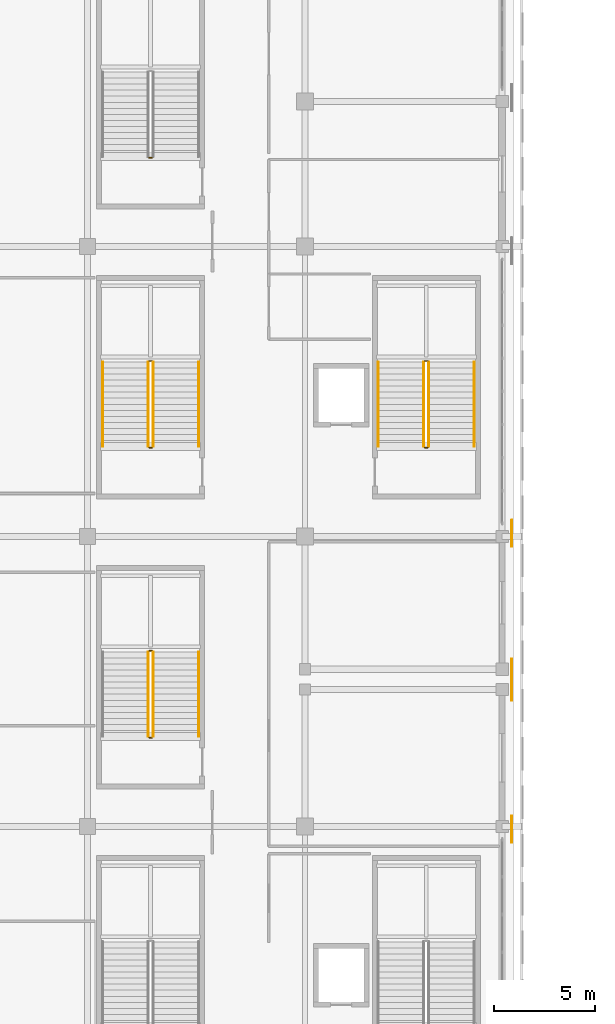
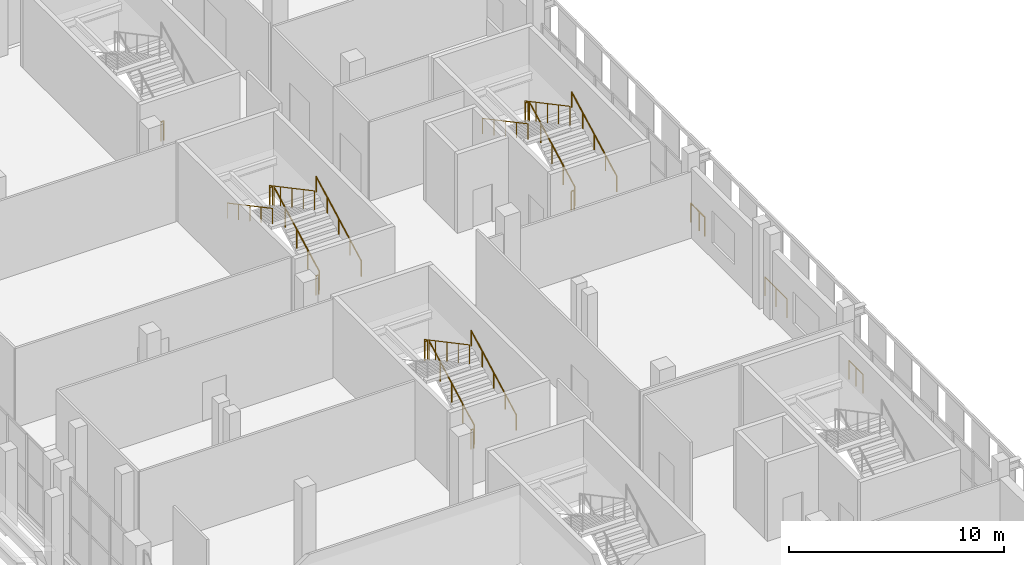
# One storey, part 134 of 142: 22 railings.
"""IFC4 building model written with IfcOpenShell, lengths in metres."""

from ifc_helpers import new_model, si_unit, direction, frame, origin, origin_2d, place, context, subcontext, project, spatial, circle, extrude, material, type_object, element, save


model = new_model("IFC4")

# Units and contexts
model_context = context("Model", 3, precision=1e-05, world=origin(), true_north=direction((0.0, 1.0)))
body_context = subcontext(model_context, "Body", "Model", "MODEL_VIEW")
ifc_project = project(units=[si_unit("LENGTHUNIT", "METRE"), si_unit("AREAUNIT", "SQUARE_METRE"), si_unit("VOLUMEUNIT", "CUBIC_METRE"), si_unit("PLANEANGLEUNIT", "RADIAN"), si_unit("MASSUNIT", "GRAM", prefix="KILO")], contexts=[model_context])

# Site, building, storey
site_placement = place(None, origin())
site = spatial("IfcSite", under=ifc_project, at=site_placement, CompositionType="ELEMENT")
building_placement = place(site_placement, origin())
building = spatial("IfcBuilding", under=site, at=building_placement, Name="Koshinbarg Plaza Stadium", CompositionType="ELEMENT")
storey_placement = place(building_placement, frame((0.0, 0.0, 10.199951171875)))
storey = spatial("IfcBuildingStorey", under=building, at=storey_placement, Name="L02", CompositionType="ELEMENT", Elevation=10.199951171875)

# Railings
ifc_material_1 = material(Name="Toughened laminated glass and stainless steel sightline balustrade", Category="steel")
railing_type_1 = type_object("IfcRailingType", Name="RL-BOWL-1100", PredefinedType="BALUSTRADE", material=ifc_material_1)
railing_1_placement = place(storey_placement, frame((218.875, 83.10009765625, 0.0)))
element("IfcRailing", 1, at=railing_1_placement, inside=storey, type_object=railing_type_1, Name="L02 deck edge safety balustrade 0140", PredefinedType="BALUSTRADE", context=body_context, shape_type="SweptSolid", body=[
    extrude(circle(Radius=0.02392578125, at=origin_2d()), frame((0.0, 0.0, 1.076171875), z_axis=(0.0, -1.0, 0.0), x_axis=(1.0, 0.0, 0.0)), (0.0, 0.0, 1.0), 0.5),
    extrude(circle(Radius=0.02099609375, at=origin_2d()), origin(), (0.0, 0.0, 1.0), 1.052001953125),
    extrude(circle(Radius=0.02099609375, at=origin_2d()), frame((0.0, -0.5, 0.0)), (0.0, 0.0, 1.0), 1.052001953125),
])
railing_2_placement = place(storey_placement, frame((218.875, 77.0, 0.0)))
element("IfcRailing", 2, at=railing_2_placement, inside=storey, type_object=railing_type_1, Name="L02 deck edge safety balustrade 0141", PredefinedType="BALUSTRADE", context=body_context, shape_type="SweptSolid", body=[
    extrude(circle(Radius=0.02392578125, at=origin_2d()), frame((0.0, 0.0, 1.076171875), z_axis=(0.0, -1.0, 0.0), x_axis=(1.0, 0.0, 0.0)), (0.0, 0.0, 1.0), 2.050048828125),
    extrude(circle(Radius=0.02099609375, at=origin_2d()), origin(), (0.0, 0.0, 1.0), 1.052001953125),
    extrude(circle(Radius=0.02099609375, at=origin_2d()), frame((0.0, -1.02490234375, 0.0)), (0.0, 0.0, 1.0), 1.052001953125),
    extrude(circle(Radius=0.02099609375, at=origin_2d()), frame((0.0, -2.050048828125, 0.0)), (0.0, 0.0, 1.0), 1.052001953125),
])
railing_3_placement = place(storey_placement, frame((218.875, 69.199951171875, 0.0)))
element("IfcRailing", 3, at=railing_3_placement, inside=storey, type_object=railing_type_1, Name="L02 deck edge safety balustrade 0142", PredefinedType="BALUSTRADE", context=body_context, shape_type="SweptSolid", body=[
    extrude(circle(Radius=0.02392578125, at=origin_2d()), frame((0.0, 0.0, 1.076171875), z_axis=(0.0, -1.0, 0.0), x_axis=(1.0, 0.0, 0.0)), (0.0, 0.0, 1.0), 1.300048828125),
    extrude(circle(Radius=0.02099609375, at=origin_2d()), origin(), (0.0, 0.0, 1.0), 1.052001953125),
    extrude(circle(Radius=0.02099609375, at=origin_2d()), frame((0.0, -0.64990234375, 0.0)), (0.0, 0.0, 1.0), 1.052001953125),
    extrude(circle(Radius=0.02099609375, at=origin_2d()), frame((0.0, -1.300048828125, 0.0)), (0.0, 0.0, 1.0), 1.052001953125),
])
railing_4_placement = place(storey_placement, frame((218.875, 83.89697265625, 0.0)))
element("IfcRailing", 4, at=railing_4_placement, inside=storey, type_object=railing_type_1, Name="L02 deck edge safety balustrade 0151", PredefinedType="BALUSTRADE", context=body_context, shape_type="SweptSolid", body=[
    extrude(circle(Radius=0.02392578125, at=origin_2d()), frame((0.0, 0.0, 1.076171875), z_axis=(0.0, -1.0, 0.0), x_axis=(1.0, 0.0, 0.0)), (0.0, 0.0, 1.0), 0.796875),
    extrude(circle(Radius=0.02099609375, at=origin_2d()), origin(), (0.0, 0.0, 1.0), 1.052001953125),
    extrude(circle(Radius=0.02099609375, at=origin_2d()), frame((0.0, -0.796875, 0.0)), (0.0, 0.0, 1.0), 1.052001953125),
])
ifc_material_2 = material(Name="Galvanized painted steel guardrail", Category="steel")
railing_type_2 = type_object("IfcRailingType", Name="RL-GUARD-1100", PredefinedType="GUARDRAIL", material=ifc_material_2)
railing_5_placement = place(storey_placement, frame((214.760009765625, 87.56005859375, 0.16015625)))
element("IfcRailing", 5, at=railing_5_placement, inside=storey, type_object=railing_type_2, Name="L02 C09 stair guard 1", PredefinedType="GUARDRAIL", context=body_context, shape_type="SweptSolid", body=[
    extrude(circle(Radius=0.02392578125, at=origin_2d()), frame((0.0, 0.0, 1.076171875), z_axis=(0.0, 0.882351521365, 0.470590897432), x_axis=(-1.0, 0.0, 0.0)), (0.0, 0.0, 1.0), 4.760009765625),
    extrude(circle(Radius=0.02099609375, at=origin_2d()), origin(), (0.0, 0.0, 1.0), 1.052001953125),
    extrude(circle(Radius=0.02099609375, at=origin_2d()), frame((0.0, 1.050048828125, 0.56005859375)), (0.0, 0.0, 1.0), 1.052001953125),
    extrude(circle(Radius=0.02099609375, at=origin_2d()), frame((0.0, 2.10009765625, 1.1201171875)), (0.0, 0.0, 1.0), 1.052001953125),
    extrude(circle(Radius=0.02099609375, at=origin_2d()), frame((0.0, 3.14990234375, 1.679931640625)), (0.0, 0.0, 1.0), 1.052001953125),
    extrude(circle(Radius=0.02099609375, at=origin_2d()), frame((0.0, 4.199951171875, 2.239990234375)), (0.0, 0.0, 1.0), 1.052001953125),
])
railing_6_placement = place(storey_placement, frame((214.7099609375, 91.81005859375, 2.400146484375)))
element("IfcRailing", 6, at=railing_6_placement, inside=storey, type_object=railing_type_2, Name="L02 C09 stair guard 2", PredefinedType="GUARDRAIL", context=body_context, shape_type="SweptSolid", body=[
    extrude(circle(Radius=0.02392578125, at=origin_2d()), frame((0.0, 0.0, 1.076171875), z_axis=(-1.0, 0.0, 0.0), x_axis=(0.0, -1.0, 0.0)), (0.0, 0.0, 1.0), 0.14990234375),
    extrude(circle(Radius=0.02099609375, at=origin_2d()), origin(), (0.0, 0.0, 1.0), 1.052001953125),
    extrude(circle(Radius=0.02099609375, at=origin_2d()), frame((-0.14990234375, 0.0, 0.0)), (0.0, 0.0, 1.0), 1.052001953125),
])
railing_7_placement = place(storey_placement, frame((214.510009765625, 91.760009765625, 2.56005859375)))
element("IfcRailing", 7, at=railing_7_placement, inside=storey, type_object=railing_type_2, Name="L02 C09 stair guard 3", PredefinedType="GUARDRAIL", context=body_context, shape_type="SweptSolid", body=[
    extrude(circle(Radius=0.02392578125, at=origin_2d()), frame((0.0, 0.0, 1.076171875), z_axis=(0.0, -0.882351521365, 0.470590897432), x_axis=(1.0, 0.0, 0.0)), (0.0, 0.0, 1.0), 4.760009765625),
    extrude(circle(Radius=0.02099609375, at=origin_2d()), origin(), (0.0, 0.0, 1.0), 1.052001953125),
    extrude(circle(Radius=0.02099609375, at=origin_2d()), frame((0.0, -1.050048828125, 0.56005859375)), (0.0, 0.0, 1.0), 1.052001953125),
    extrude(circle(Radius=0.02099609375, at=origin_2d()), frame((0.0, -2.10009765625, 1.1201171875)), (0.0, 0.0, 1.0), 1.052001953125),
    extrude(circle(Radius=0.02099609375, at=origin_2d()), frame((0.0, -3.14990234375, 1.679931640625)), (0.0, 0.0, 1.0), 1.052001953125),
    extrude(circle(Radius=0.02099609375, at=origin_2d()), frame((0.0, -4.199951171875, 2.239990234375)), (0.0, 0.0, 1.0), 1.052001953125),
])
railing_8_placement = place(storey_placement, frame((214.7099609375, 87.510009765625, 0.0)))
element("IfcRailing", 8, at=railing_8_placement, inside=storey, type_object=railing_type_2, Name="L02 C09 stair guard 4", PredefinedType="GUARDRAIL", context=body_context, shape_type="SweptSolid", body=[
    extrude(circle(Radius=0.02392578125, at=origin_2d()), frame((0.0, 0.0, 1.076171875), z_axis=(-1.0, 0.0, 0.0), x_axis=(0.0, -1.0, 0.0)), (0.0, 0.0, 1.0), 0.14990234375),
    extrude(circle(Radius=0.02099609375, at=origin_2d()), origin(), (0.0, 0.0, 1.0), 1.052001953125),
    extrude(circle(Radius=0.02099609375, at=origin_2d()), frame((-0.14990234375, 0.0, 0.0)), (0.0, 0.0, 1.0), 1.052001953125),
])
railing_9_placement = place(storey_placement, frame((201.06005859375, 73.159912109375, 0.16015625)))
element("IfcRailing", 9, at=railing_9_placement, inside=storey, type_object=railing_type_2, Name="L02 VX10 stair guard 1", PredefinedType="GUARDRAIL", context=body_context, shape_type="SweptSolid", body=[
    extrude(circle(Radius=0.02392578125, at=origin_2d()), frame((0.0, 0.0, 1.076171875), z_axis=(0.0, 0.882362879185, 0.470569601054), x_axis=(-1.0, 0.0, 0.0)), (0.0, 0.0, 1.0), 4.76025390625),
    extrude(circle(Radius=0.02099609375, at=origin_2d()), origin(), (0.0, 0.0, 1.0), 1.052001953125),
    extrude(circle(Radius=0.02099609375, at=origin_2d()), frame((0.0, 1.050048828125, 0.56005859375)), (0.0, 0.0, 1.0), 1.052001953125),
    extrude(circle(Radius=0.02099609375, at=origin_2d()), frame((0.0, 2.10009765625, 1.1201171875)), (0.0, 0.0, 1.0), 1.052001953125),
    extrude(circle(Radius=0.02099609375, at=origin_2d()), frame((0.0, 3.150146484375, 1.679931640625)), (0.0, 0.0, 1.0), 1.052001953125),
    extrude(circle(Radius=0.02099609375, at=origin_2d()), frame((0.0, 4.2001953125, 2.239990234375)), (0.0, 0.0, 1.0), 1.052001953125),
])
railing_10_placement = place(storey_placement, frame((201.010009765625, 77.409912109375, 2.400146484375)))
element("IfcRailing", 10, at=railing_10_placement, inside=storey, type_object=railing_type_2, Name="L02 VX10 stair guard 2", PredefinedType="GUARDRAIL", context=body_context, shape_type="SweptSolid", body=[
    extrude(circle(Radius=0.02392578125, at=origin_2d()), frame((0.0, 0.0, 1.076171875), z_axis=(-1.0, 0.0, 0.0), x_axis=(0.0, -1.0, 0.0)), (0.0, 0.0, 1.0), 0.14990234375),
    extrude(circle(Radius=0.02099609375, at=origin_2d()), origin(), (0.0, 0.0, 1.0), 1.052001953125),
    extrude(circle(Radius=0.02099609375, at=origin_2d()), frame((-0.14990234375, 0.0, 0.0)), (0.0, 0.0, 1.0), 1.052001953125),
])
railing_11_placement = place(storey_placement, frame((200.81005859375, 77.360107421875, 2.56005859375)))
element("IfcRailing", 11, at=railing_11_placement, inside=storey, type_object=railing_type_2, Name="L02 VX10 stair guard 3", PredefinedType="GUARDRAIL", context=body_context, shape_type="SweptSolid", body=[
    extrude(circle(Radius=0.02392578125, at=origin_2d()), frame((0.0, 0.0, 1.076171875), z_axis=(0.0, -0.882362879185, 0.470569601054), x_axis=(1.0, 0.0, 0.0)), (0.0, 0.0, 1.0), 4.76025390625),
    extrude(circle(Radius=0.02099609375, at=origin_2d()), origin(), (0.0, 0.0, 1.0), 1.052001953125),
    extrude(circle(Radius=0.02099609375, at=origin_2d()), frame((0.0, -1.050048828125, 0.56005859375)), (0.0, 0.0, 1.0), 1.052001953125),
    extrude(circle(Radius=0.02099609375, at=origin_2d()), frame((0.0, -2.10009765625, 1.1201171875)), (0.0, 0.0, 1.0), 1.052001953125),
    extrude(circle(Radius=0.02099609375, at=origin_2d()), frame((0.0, -3.150146484375, 1.679931640625)), (0.0, 0.0, 1.0), 1.052001953125),
    extrude(circle(Radius=0.02099609375, at=origin_2d()), frame((0.0, -4.2001953125, 2.239990234375)), (0.0, 0.0, 1.0), 1.052001953125),
])
railing_12_placement = place(storey_placement, frame((201.010009765625, 73.110107421875, 0.0)))
element("IfcRailing", 12, at=railing_12_placement, inside=storey, type_object=railing_type_2, Name="L02 VX10 stair guard 4", PredefinedType="GUARDRAIL", context=body_context, shape_type="SweptSolid", body=[
    extrude(circle(Radius=0.02392578125, at=origin_2d()), frame((0.0, 0.0, 1.076171875), z_axis=(-1.0, 0.0, 0.0), x_axis=(0.0, -1.0, 0.0)), (0.0, 0.0, 1.0), 0.14990234375),
    extrude(circle(Radius=0.02099609375, at=origin_2d()), origin(), (0.0, 0.0, 1.0), 1.052001953125),
    extrude(circle(Radius=0.02099609375, at=origin_2d()), frame((-0.14990234375, 0.0, 0.0)), (0.0, 0.0, 1.0), 1.052001953125),
])
railing_13_placement = place(storey_placement, frame((201.06005859375, 87.56005859375, 0.16015625)))
element("IfcRailing", 13, at=railing_13_placement, inside=storey, type_object=railing_type_2, Name="L02 VX11 stair guard 1", PredefinedType="GUARDRAIL", context=body_context, shape_type="SweptSolid", body=[
    extrude(circle(Radius=0.02392578125, at=origin_2d()), frame((0.0, 0.0, 1.076171875), z_axis=(0.0, 0.882351521365, 0.470590897432), x_axis=(-1.0, 0.0, 0.0)), (0.0, 0.0, 1.0), 4.760009765625),
    extrude(circle(Radius=0.02099609375, at=origin_2d()), origin(), (0.0, 0.0, 1.0), 1.052001953125),
    extrude(circle(Radius=0.02099609375, at=origin_2d()), frame((0.0, 1.050048828125, 0.56005859375)), (0.0, 0.0, 1.0), 1.052001953125),
    extrude(circle(Radius=0.02099609375, at=origin_2d()), frame((0.0, 2.10009765625, 1.1201171875)), (0.0, 0.0, 1.0), 1.052001953125),
    extrude(circle(Radius=0.02099609375, at=origin_2d()), frame((0.0, 3.14990234375, 1.679931640625)), (0.0, 0.0, 1.0), 1.052001953125),
    extrude(circle(Radius=0.02099609375, at=origin_2d()), frame((0.0, 4.199951171875, 2.239990234375)), (0.0, 0.0, 1.0), 1.052001953125),
])
railing_14_placement = place(storey_placement, frame((201.010009765625, 91.81005859375, 2.400146484375)))
element("IfcRailing", 14, at=railing_14_placement, inside=storey, type_object=railing_type_2, Name="L02 VX11 stair guard 2", PredefinedType="GUARDRAIL", context=body_context, shape_type="SweptSolid", body=[
    extrude(circle(Radius=0.02392578125, at=origin_2d()), frame((0.0, 0.0, 1.076171875), z_axis=(-1.0, 0.0, 0.0), x_axis=(0.0, -1.0, 0.0)), (0.0, 0.0, 1.0), 0.14990234375),
    extrude(circle(Radius=0.02099609375, at=origin_2d()), origin(), (0.0, 0.0, 1.0), 1.052001953125),
    extrude(circle(Radius=0.02099609375, at=origin_2d()), frame((-0.14990234375, 0.0, 0.0)), (0.0, 0.0, 1.0), 1.052001953125),
])
railing_15_placement = place(storey_placement, frame((200.81005859375, 91.760009765625, 2.56005859375)))
element("IfcRailing", 15, at=railing_15_placement, inside=storey, type_object=railing_type_2, Name="L02 VX11 stair guard 3", PredefinedType="GUARDRAIL", context=body_context, shape_type="SweptSolid", body=[
    extrude(circle(Radius=0.02392578125, at=origin_2d()), frame((0.0, 0.0, 1.076171875), z_axis=(0.0, -0.882351521365, 0.470590897432), x_axis=(1.0, 0.0, 0.0)), (0.0, 0.0, 1.0), 4.760009765625),
    extrude(circle(Radius=0.02099609375, at=origin_2d()), origin(), (0.0, 0.0, 1.0), 1.052001953125),
    extrude(circle(Radius=0.02099609375, at=origin_2d()), frame((0.0, -1.050048828125, 0.56005859375)), (0.0, 0.0, 1.0), 1.052001953125),
    extrude(circle(Radius=0.02099609375, at=origin_2d()), frame((0.0, -2.10009765625, 1.1201171875)), (0.0, 0.0, 1.0), 1.052001953125),
    extrude(circle(Radius=0.02099609375, at=origin_2d()), frame((0.0, -3.14990234375, 1.679931640625)), (0.0, 0.0, 1.0), 1.052001953125),
    extrude(circle(Radius=0.02099609375, at=origin_2d()), frame((0.0, -4.199951171875, 2.239990234375)), (0.0, 0.0, 1.0), 1.052001953125),
])
for number, where, name in (
    (16, (201.010009765625, 87.510009765625, 0.0), "L02 VX11 stair guard 4"),
    (17, (201.010009765625, 101.909912109375, 0.0), "L02 VX12 stair guard 4"),
):
    element("IfcRailing", number, at=place(storey_placement, frame(where)), inside=storey, type_object=railing_type_2, Name=name, PredefinedType="GUARDRAIL", context=body_context, shape_type="SweptSolid", body=[
        extrude(circle(Radius=0.02392578125, at=origin_2d()), frame((0.0, 0.0, 1.076171875), z_axis=(-1.0, 0.0, 0.0), x_axis=(0.0, -1.0, 0.0)), (0.0, 0.0, 1.0), 0.14990234375),
        extrude(circle(Radius=0.02099609375, at=origin_2d()), origin(), (0.0, 0.0, 1.0), 1.052001953125),
        extrude(circle(Radius=0.02099609375, at=origin_2d()), frame((-0.14990234375, 0.0, 0.0)), (0.0, 0.0, 1.0), 1.052001953125),
    ])
ifc_material_3 = material(Name="Brushed stainless steel handrail", Category="steel")
railing_type_3 = type_object("IfcRailingType", Name="RL-HAND-900", PredefinedType="HANDRAIL", material=ifc_material_3)
railing_16_placement = place(storey_placement, frame((217.02001953125, 87.56005859375, 0.16015625)))
element("IfcRailing", 18, at=railing_16_placement, inside=storey, type_object=railing_type_3, Name="L02 C09 stair handrail 1", PredefinedType="HANDRAIL", context=body_context, shape_type="SweptSolid", body=[
    extrude(circle(Radius=0.02392578125, at=origin_2d()), frame((0.0, 0.0, 0.8759765625), z_axis=(0.0, 0.882351521365, 0.470590897432), x_axis=(-1.0, 0.0, 0.0)), (0.0, 0.0, 1.0), 4.760009765625),
    extrude(circle(Radius=0.02099609375, at=origin_2d()), origin(), (0.0, 0.0, 1.0), 0.851806640625),
    extrude(circle(Radius=0.02099609375, at=origin_2d()), frame((0.0, 1.050048828125, 0.56005859375)), (0.0, 0.0, 1.0), 0.851806640625),
    extrude(circle(Radius=0.02099609375, at=origin_2d()), frame((0.0, 2.10009765625, 1.1201171875)), (0.0, 0.0, 1.0), 0.851806640625),
    extrude(circle(Radius=0.02099609375, at=origin_2d()), frame((0.0, 3.14990234375, 1.679931640625)), (0.0, 0.0, 1.0), 0.851806640625),
    extrude(circle(Radius=0.02099609375, at=origin_2d()), frame((0.0, 4.199951171875, 2.239990234375)), (0.0, 0.0, 1.0), 0.851806640625),
])
railing_17_placement = place(storey_placement, frame((212.25, 91.760009765625, 2.56005859375)))
element("IfcRailing", 19, at=railing_17_placement, inside=storey, type_object=railing_type_3, Name="L02 C09 stair handrail 2", PredefinedType="HANDRAIL", context=body_context, shape_type="SweptSolid", body=[
    extrude(circle(Radius=0.02392578125, at=origin_2d()), frame((0.0, 0.0, 0.8759765625), z_axis=(0.0, -0.882351521365, 0.470590897432), x_axis=(1.0, 0.0, 0.0)), (0.0, 0.0, 1.0), 4.760009765625),
    extrude(circle(Radius=0.02099609375, at=origin_2d()), origin(), (0.0, 0.0, 1.0), 0.851806640625),
    extrude(circle(Radius=0.02099609375, at=origin_2d()), frame((0.0, -1.050048828125, 0.56005859375)), (0.0, 0.0, 1.0), 0.851806640625),
    extrude(circle(Radius=0.02099609375, at=origin_2d()), frame((0.0, -2.10009765625, 1.1201171875)), (0.0, 0.0, 1.0), 0.851806640625),
    extrude(circle(Radius=0.02099609375, at=origin_2d()), frame((0.0, -3.14990234375, 1.679931640625)), (0.0, 0.0, 1.0), 0.851806640625),
    extrude(circle(Radius=0.02099609375, at=origin_2d()), frame((0.0, -4.199951171875, 2.239990234375)), (0.0, 0.0, 1.0), 0.851806640625),
])
railing_18_placement = place(storey_placement, frame((203.320068359375, 73.159912109375, 0.16015625)))
element("IfcRailing", 20, at=railing_18_placement, inside=storey, type_object=railing_type_3, Name="L02 VX10 stair handrail 1", PredefinedType="HANDRAIL", context=body_context, shape_type="SweptSolid", body=[
    extrude(circle(Radius=0.02392578125, at=origin_2d()), frame((0.0, 0.0, 0.8759765625), z_axis=(0.0, 0.882362879185, 0.470569601054), x_axis=(-1.0, 0.0, 0.0)), (0.0, 0.0, 1.0), 4.76025390625),
    extrude(circle(Radius=0.02099609375, at=origin_2d()), origin(), (0.0, 0.0, 1.0), 0.851806640625),
    extrude(circle(Radius=0.02099609375, at=origin_2d()), frame((0.0, 1.050048828125, 0.56005859375)), (0.0, 0.0, 1.0), 0.851806640625),
    extrude(circle(Radius=0.02099609375, at=origin_2d()), frame((0.0, 2.10009765625, 1.1201171875)), (0.0, 0.0, 1.0), 0.851806640625),
    extrude(circle(Radius=0.02099609375, at=origin_2d()), frame((0.0, 3.150146484375, 1.679931640625)), (0.0, 0.0, 1.0), 0.851806640625),
    extrude(circle(Radius=0.02099609375, at=origin_2d()), frame((0.0, 4.2001953125, 2.239990234375)), (0.0, 0.0, 1.0), 0.851806640625),
])
railing_19_placement = place(storey_placement, frame((203.320068359375, 87.56005859375, 0.16015625)))
element("IfcRailing", 21, at=railing_19_placement, inside=storey, type_object=railing_type_3, Name="L02 VX11 stair handrail 1", PredefinedType="HANDRAIL", context=body_context, shape_type="SweptSolid", body=[
    extrude(circle(Radius=0.02392578125, at=origin_2d()), frame((0.0, 0.0, 0.8759765625), z_axis=(0.0, 0.882351521365, 0.470590897432), x_axis=(-1.0, 0.0, 0.0)), (0.0, 0.0, 1.0), 4.760009765625),
    extrude(circle(Radius=0.02099609375, at=origin_2d()), origin(), (0.0, 0.0, 1.0), 0.851806640625),
    extrude(circle(Radius=0.02099609375, at=origin_2d()), frame((0.0, 1.050048828125, 0.56005859375)), (0.0, 0.0, 1.0), 0.851806640625),
    extrude(circle(Radius=0.02099609375, at=origin_2d()), frame((0.0, 2.10009765625, 1.1201171875)), (0.0, 0.0, 1.0), 0.851806640625),
    extrude(circle(Radius=0.02099609375, at=origin_2d()), frame((0.0, 3.14990234375, 1.679931640625)), (0.0, 0.0, 1.0), 0.851806640625),
    extrude(circle(Radius=0.02099609375, at=origin_2d()), frame((0.0, 4.199951171875, 2.239990234375)), (0.0, 0.0, 1.0), 0.851806640625),
])
railing_20_placement = place(storey_placement, frame((198.550048828125, 91.760009765625, 2.56005859375)))
element("IfcRailing", 22, at=railing_20_placement, inside=storey, type_object=railing_type_3, Name="L02 VX11 stair handrail 2", PredefinedType="HANDRAIL", context=body_context, shape_type="SweptSolid", body=[
    extrude(circle(Radius=0.02392578125, at=origin_2d()), frame((0.0, 0.0, 0.8759765625), z_axis=(0.0, -0.882351521365, 0.470590897432), x_axis=(1.0, 0.0, 0.0)), (0.0, 0.0, 1.0), 4.760009765625),
    extrude(circle(Radius=0.02099609375, at=origin_2d()), origin(), (0.0, 0.0, 1.0), 0.851806640625),
    extrude(circle(Radius=0.02099609375, at=origin_2d()), frame((0.0, -1.050048828125, 0.56005859375)), (0.0, 0.0, 1.0), 0.851806640625),
    extrude(circle(Radius=0.02099609375, at=origin_2d()), frame((0.0, -2.10009765625, 1.1201171875)), (0.0, 0.0, 1.0), 0.851806640625),
    extrude(circle(Radius=0.02099609375, at=origin_2d()), frame((0.0, -3.14990234375, 1.679931640625)), (0.0, 0.0, 1.0), 0.851806640625),
    extrude(circle(Radius=0.02099609375, at=origin_2d()), frame((0.0, -4.199951171875, 2.239990234375)), (0.0, 0.0, 1.0), 0.851806640625),
])

save(model, "model.ifc")
